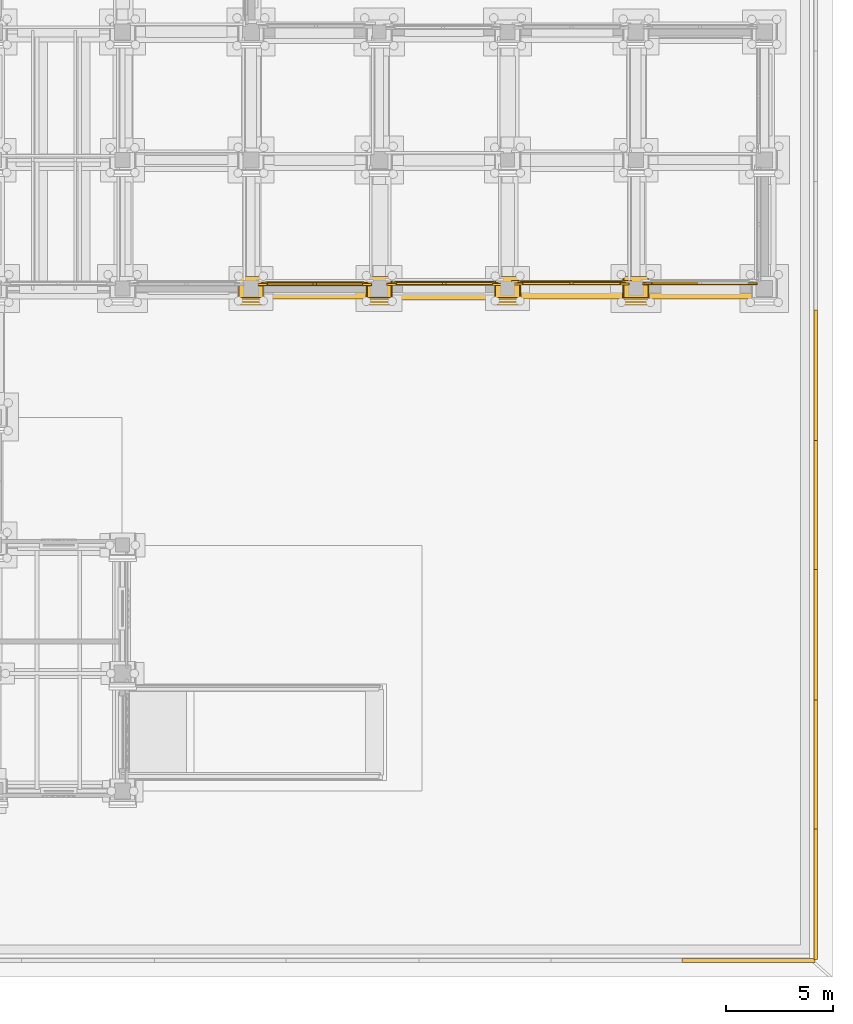
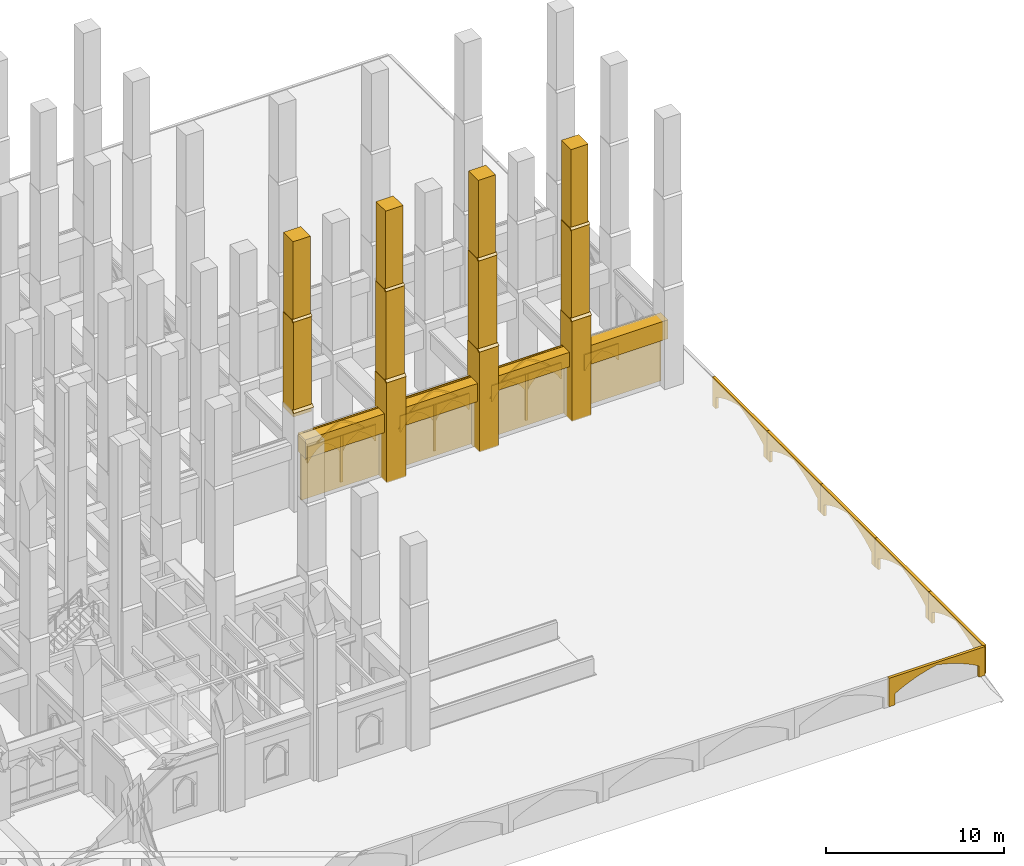
# One storey, part 126 of 135: 50 coverings.
"""IFC4 building model written with IfcOpenShell, lengths in metres."""

from ifc_helpers import new_model, si_unit, direction, frame, origin, origin_2d, place, context, subcontext, project, spatial, polyline, rectangle, outline, extrude, material, type_object, element, save


model = new_model("IFC4")

# Units and contexts
model_context = context("Model", 3, precision=1e-05, world=origin(), true_north=direction((0.0, 1.0)))
body_context = subcontext(model_context, "Body", "Model", "MODEL_VIEW")
ifc_project = project(units=[si_unit("LENGTHUNIT", "METRE"), si_unit("AREAUNIT", "SQUARE_METRE"), si_unit("VOLUMEUNIT", "CUBIC_METRE"), si_unit("PLANEANGLEUNIT", "RADIAN"), si_unit("MASSUNIT", "GRAM", prefix="KILO")], contexts=[model_context])

# Site, building, storey
site_placement = place(None, origin())
site = spatial("IfcSite", under=ifc_project, at=site_placement, CompositionType="ELEMENT")
building_placement = place(site_placement, origin())
building = spatial("IfcBuilding", under=site, at=building_placement, Name="Cumevento Cable Car Station", CompositionType="ELEMENT")
storey_placement = place(building_placement, origin())
storey = spatial("IfcBuildingStorey", under=building, at=storey_placement, Name="L01", CompositionType="ELEMENT", Elevation=0.0)

# Coverings
ifc_material = material(Name="Gnaisse Facoidal Stone Ashlar 85 MPa", Category="masonry")
covering_type = type_object("IfcCoveringType", Name="Gnaisse Ashlar Cladding CV-CL01", PredefinedType="CLADDING", material=ifc_material)
covering_1_placement = place(storey_placement, frame((141.360107421875, 32.239990234375, 6.8056640625), z_axis=(0.0, -0.711135781079, 0.703054692658), x_axis=(1.0, 0.0, 0.0)))
element("IfcCovering", 1, at=covering_1_placement, inside=storey, type_object=covering_type, Name="Gothic Buttress Sloped Stone Weathering 1 bt:142.0:33.0", PredefinedType="CLADDING", context=body_context, shape_type="SweptSolid", body=[
    extrude(outline(polyline([(0.0, 0.0), (1.27978515625, 0.0), (1.27978515625, 0.24169083397703695), (0.0, 0.24169083397703695), (0.0, 0.0)])), origin(), (0.0, 0.0, -1.0), 0.090087890625),
])
covering_2_placement = place(storey_placement, frame((142.0, 32.969970703125, 6.46337890625), z_axis=(0.0, 0.0, 1.0), x_axis=(1.0, 0.0, 0.0)))
element("IfcCovering", 2, at=covering_2_placement, inside=storey, type_object=covering_type, Name="Stepped Gothic Stone Buttress Tier 2 bt:142.0:33.0", PredefinedType="CLADDING", context=body_context, shape_type="SweptSolid", body=[
    extrude(rectangle(XDim=1.179931640625, YDim=1.179931640625, at=origin_2d()), origin(), (0.0, 0.0, 1.0), 6.523193359375),
])
covering_3_placement = place(storey_placement, frame((141.389892578125, 32.360107421875, 12.96630859375), z_axis=(0.0, -0.714474823669, 0.699661151089), x_axis=(1.0, 0.0, 0.0)))
element("IfcCovering", 3, at=covering_3_placement, inside=storey, type_object=covering_type, Name="Gothic Buttress Sloped Stone Weathering 2 bt:142.0:33.0", PredefinedType="CLADDING", context=body_context, shape_type="SweptSolid", body=[
    extrude(outline(polyline([(0.0, 0.0), (1.22021484375, 0.0), (1.22021484375, 0.21424991728737655), (0.0, 0.21424991728737655), (0.0, 0.0)])), origin(), (0.0, 0.0, -1.0), 0.090087890625),
])
covering_4_placement = place(storey_placement, frame((142.0, 33.02001953125, 12.6240234375), z_axis=(0.0, 0.0, 1.0), x_axis=(1.0, 0.0, 0.0)))
element("IfcCovering", 4, at=covering_4_placement, inside=storey, type_object=covering_type, Name="Stepped Gothic Stone Buttress Tier 3 bt:142.0:33.0", PredefinedType="CLADDING", context=body_context, shape_type="SweptSolid", body=[
    extrude(rectangle(XDim=1.1201171875, YDim=1.080078125, at=origin_2d()), origin(), (0.0, 0.0, 1.0), 5.77587890625),
])
covering_5_placement = place(storey_placement, frame((148.0, 32.909912109375, -0.06005859375), z_axis=(0.0, 0.0, 1.0), x_axis=(1.0, 0.0, 0.0)))
element("IfcCovering", 5, at=covering_5_placement, inside=storey, type_object=covering_type, Name="Stepped Gothic Stone Buttress Tier 1 bt:148.0:33.0", PredefinedType="CLADDING", context=body_context, shape_type="SweptSolid", body=[
    extrude(rectangle(XDim=1.239990234375, YDim=1.300048828125, at=origin_2d()), origin(), (0.0, 0.0, 1.0), 6.885498046875),
])
covering_6_placement = place(storey_placement, frame((147.360107421875, 32.239990234375, 6.8056640625), z_axis=(0.0, -0.711135781079, 0.703054692658), x_axis=(1.0, 0.0, 0.0)))
element("IfcCovering", 6, at=covering_6_placement, inside=storey, type_object=covering_type, Name="Gothic Buttress Sloped Stone Weathering 1 bt:148.0:33.0", PredefinedType="CLADDING", context=body_context, shape_type="SweptSolid", body=[
    extrude(outline(polyline([(0.0, 0.0), (1.27978515625, 0.0), (1.27978515625, 0.24169083397703695), (0.0, 0.24169083397703695), (0.0, 0.0)])), origin(), (0.0, 0.0, -1.0), 0.090087890625),
])
covering_7_placement = place(storey_placement, frame((148.0, 32.969970703125, 6.46337890625), z_axis=(0.0, 0.0, 1.0), x_axis=(1.0, 0.0, 0.0)))
element("IfcCovering", 7, at=covering_7_placement, inside=storey, type_object=covering_type, Name="Stepped Gothic Stone Buttress Tier 2 bt:148.0:33.0", PredefinedType="CLADDING", context=body_context, shape_type="SweptSolid", body=[
    extrude(rectangle(XDim=1.179931640625, YDim=1.179931640625, at=origin_2d()), origin(), (0.0, 0.0, 1.0), 6.523193359375),
])
covering_8_placement = place(storey_placement, frame((147.389892578125, 32.360107421875, 12.96630859375), z_axis=(0.0, -0.714474823669, 0.699661151089), x_axis=(1.0, 0.0, 0.0)))
element("IfcCovering", 8, at=covering_8_placement, inside=storey, type_object=covering_type, Name="Gothic Buttress Sloped Stone Weathering 2 bt:148.0:33.0", PredefinedType="CLADDING", context=body_context, shape_type="SweptSolid", body=[
    extrude(outline(polyline([(0.0, 0.0), (1.22021484375, 0.0), (1.22021484375, 0.21424991728737655), (0.0, 0.21424991728737655), (0.0, 0.0)])), origin(), (0.0, 0.0, -1.0), 0.090087890625),
])
covering_9_placement = place(storey_placement, frame((148.0, 33.02001953125, 12.6240234375), z_axis=(0.0, 0.0, 1.0), x_axis=(1.0, 0.0, 0.0)))
element("IfcCovering", 9, at=covering_9_placement, inside=storey, type_object=covering_type, Name="Stepped Gothic Stone Buttress Tier 3 bt:148.0:33.0", PredefinedType="CLADDING", context=body_context, shape_type="SweptSolid", body=[
    extrude(rectangle(XDim=1.1201171875, YDim=1.080078125, at=origin_2d()), origin(), (0.0, 0.0, 1.0), 5.77587890625),
])
covering_10_placement = place(storey_placement, frame((154.0, 32.909912109375, -0.06005859375), z_axis=(0.0, 0.0, 1.0), x_axis=(1.0, 0.0, 0.0)))
element("IfcCovering", 10, at=covering_10_placement, inside=storey, type_object=covering_type, Name="Stepped Gothic Stone Buttress Tier 1 bt:154.0:33.0", PredefinedType="CLADDING", context=body_context, shape_type="SweptSolid", body=[
    extrude(rectangle(XDim=1.239990234375, YDim=1.300048828125, at=origin_2d()), origin(), (0.0, 0.0, 1.0), 6.885498046875),
])
covering_11_placement = place(storey_placement, frame((153.360107421875, 32.239990234375, 6.8056640625), z_axis=(0.0, -0.711135781079, 0.703054692658), x_axis=(1.0, 0.0, 0.0)))
element("IfcCovering", 11, at=covering_11_placement, inside=storey, type_object=covering_type, Name="Gothic Buttress Sloped Stone Weathering 1 bt:154.0:33.0", PredefinedType="CLADDING", context=body_context, shape_type="SweptSolid", body=[
    extrude(outline(polyline([(0.0, 0.0), (1.27978515625, 0.0), (1.27978515625, 0.24169083397703695), (0.0, 0.24169083397703695), (0.0, 0.0)])), origin(), (0.0, 0.0, -1.0), 0.090087890625),
])
covering_12_placement = place(storey_placement, frame((154.0, 32.969970703125, 6.46337890625), z_axis=(0.0, 0.0, 1.0), x_axis=(1.0, 0.0, 0.0)))
element("IfcCovering", 12, at=covering_12_placement, inside=storey, type_object=covering_type, Name="Stepped Gothic Stone Buttress Tier 2 bt:154.0:33.0", PredefinedType="CLADDING", context=body_context, shape_type="SweptSolid", body=[
    extrude(rectangle(XDim=1.179931640625, YDim=1.179931640625, at=origin_2d()), origin(), (0.0, 0.0, 1.0), 6.523193359375),
])
covering_13_placement = place(storey_placement, frame((153.389892578125, 32.360107421875, 12.96630859375), z_axis=(0.0, -0.714474823669, 0.699661151089), x_axis=(1.0, 0.0, 0.0)))
element("IfcCovering", 13, at=covering_13_placement, inside=storey, type_object=covering_type, Name="Gothic Buttress Sloped Stone Weathering 2 bt:154.0:33.0", PredefinedType="CLADDING", context=body_context, shape_type="SweptSolid", body=[
    extrude(outline(polyline([(0.0, 0.0), (1.22021484375, 0.0), (1.22021484375, 0.21424991728737655), (0.0, 0.21424991728737655), (0.0, 0.0)])), origin(), (0.0, 0.0, -1.0), 0.090087890625),
])
covering_14_placement = place(storey_placement, frame((154.0, 33.02001953125, 12.6240234375), z_axis=(0.0, 0.0, 1.0), x_axis=(1.0, 0.0, 0.0)))
element("IfcCovering", 14, at=covering_14_placement, inside=storey, type_object=covering_type, Name="Stepped Gothic Stone Buttress Tier 3 bt:154.0:33.0", PredefinedType="CLADDING", context=body_context, shape_type="SweptSolid", body=[
    extrude(rectangle(XDim=1.1201171875, YDim=1.080078125, at=origin_2d()), origin(), (0.0, 0.0, 1.0), 5.77587890625),
])
covering_15_placement = place(storey_placement, frame((160.0, 32.909912109375, -0.06005859375), z_axis=(0.0, 0.0, 1.0), x_axis=(1.0, 0.0, 0.0)))
element("IfcCovering", 15, at=covering_15_placement, inside=storey, type_object=covering_type, Name="Stepped Gothic Stone Buttress Tier 1 bt:160.0:33.0", PredefinedType="CLADDING", context=body_context, shape_type="SweptSolid", body=[
    extrude(rectangle(XDim=1.239990234375, YDim=1.300048828125, at=origin_2d()), origin(), (0.0, 0.0, 1.0), 6.885498046875),
])
covering_16_placement = place(storey_placement, frame((159.360107421875, 32.239990234375, 6.8056640625), z_axis=(0.0, -0.711135781079, 0.703054692658), x_axis=(1.0, 0.0, 0.0)))
element("IfcCovering", 16, at=covering_16_placement, inside=storey, type_object=covering_type, Name="Gothic Buttress Sloped Stone Weathering 1 bt:160.0:33.0", PredefinedType="CLADDING", context=body_context, shape_type="SweptSolid", body=[
    extrude(outline(polyline([(0.0, 0.0), (1.27978515625, 0.0), (1.27978515625, 0.24169083397703695), (0.0, 0.24169083397703695), (0.0, 0.0)])), origin(), (0.0, 0.0, -1.0), 0.090087890625),
])
covering_17_placement = place(storey_placement, frame((160.0, 32.969970703125, 6.46337890625), z_axis=(0.0, 0.0, 1.0), x_axis=(1.0, 0.0, 0.0)))
element("IfcCovering", 17, at=covering_17_placement, inside=storey, type_object=covering_type, Name="Stepped Gothic Stone Buttress Tier 2 bt:160.0:33.0", PredefinedType="CLADDING", context=body_context, shape_type="SweptSolid", body=[
    extrude(rectangle(XDim=1.179931640625, YDim=1.179931640625, at=origin_2d()), origin(), (0.0, 0.0, 1.0), 6.523193359375),
])
covering_18_placement = place(storey_placement, frame((159.389892578125, 32.360107421875, 12.96630859375), z_axis=(0.0, -0.714474823669, 0.699661151089), x_axis=(1.0, 0.0, 0.0)))
element("IfcCovering", 18, at=covering_18_placement, inside=storey, type_object=covering_type, Name="Gothic Buttress Sloped Stone Weathering 2 bt:160.0:33.0", PredefinedType="CLADDING", context=body_context, shape_type="SweptSolid", body=[
    extrude(outline(polyline([(0.0, 0.0), (1.22021484375, 0.0), (1.22021484375, 0.21424991728737655), (0.0, 0.21424991728737655), (0.0, 0.0)])), origin(), (0.0, 0.0, -1.0), 0.090087890625),
])
covering_19_placement = place(storey_placement, frame((160.0, 33.02001953125, 12.6240234375), z_axis=(0.0, 0.0, 1.0), x_axis=(1.0, 0.0, 0.0)))
element("IfcCovering", 19, at=covering_19_placement, inside=storey, type_object=covering_type, Name="Stepped Gothic Stone Buttress Tier 3 bt:160.0:33.0", PredefinedType="CLADDING", context=body_context, shape_type="SweptSolid", body=[
    extrude(rectangle(XDim=1.1201171875, YDim=1.080078125, at=origin_2d()), origin(), (0.0, 0.0, 1.0), 5.77587890625),
])
covering_20_placement = place(storey_placement, frame((144.987548828125, 32.919921875, 3.239990234375), z_axis=(0.0, 0.0, 1.0), x_axis=(1.0, 0.0, 0.0)))
element("IfcCovering", 20, at=covering_20_placement, inside=storey, type_object=covering_type, Name="Gothic Stone Spandrel Stringcourse sc:0206", PredefinedType="CLADDING", context=body_context, shape_type="SweptSolid", body=[
    extrude(rectangle(XDim=5.465087890625, YDim=0.820068359375, at=origin_2d()), origin(), (0.0, 0.0, 1.0), 1.2900390625),
])
covering_21_placement = place(storey_placement, frame((151.03759765625, 32.919921875, 3.2900390625), z_axis=(0.0, 0.0, 1.0), x_axis=(1.0, 0.0, 0.0)))
element("IfcCovering", 21, at=covering_21_placement, inside=storey, type_object=covering_type, Name="Gothic Stone Spandrel Stringcourse sc:0207", PredefinedType="CLADDING", context=body_context, shape_type="SweptSolid", body=[
    extrude(rectangle(XDim=5.514892578125, YDim=0.919921875, at=origin_2d()), origin(), (0.0, 0.0, 1.0), 1.239990234375),
])
covering_22_placement = place(storey_placement, frame((156.987548828125, 32.89990234375, 3.5400390625), z_axis=(0.0, 0.0, 1.0), x_axis=(1.0, 0.0, 0.0)))
element("IfcCovering", 22, at=covering_22_placement, inside=storey, type_object=covering_type, Name="Gothic Stone Spandrel Stringcourse sc:0208", PredefinedType="CLADDING", context=body_context, shape_type="SweptSolid", body=[
    extrude(rectangle(XDim=5.56494140625, YDim=0.760009765625, at=origin_2d()), origin(), (0.0, 0.0, 1.0), 0.989990234375),
])
covering_23_placement = place(storey_placement, frame((156.987548828125, 33.3076171875, 4.400146484375), z_axis=(0.0, 0.0, 1.0), x_axis=(1.0, 0.0, 0.0)))
element("IfcCovering", 23, at=covering_23_placement, inside=storey, type_object=covering_type, Name="Gothic Cornice Dripstone Lip sc:0208", PredefinedType="CLADDING", context=body_context, shape_type="SweptSolid", body=[
    extrude(rectangle(XDim=5.60498046875, YDim=0.114990234375, at=origin_2d()), origin(), (0.0, 0.0, 1.0), 0.1298828125),
])
covering_24_placement = place(storey_placement, frame((162.987548828125, 32.919921875, 3.239990234375), z_axis=(0.0, 0.0, 1.0), x_axis=(1.0, 0.0, 0.0)))
element("IfcCovering", 24, at=covering_24_placement, inside=storey, type_object=covering_type, Name="Gothic Stone Spandrel Stringcourse sc:0209", PredefinedType="CLADDING", context=body_context, shape_type="SweptSolid", body=[
    extrude(rectangle(XDim=5.514892578125, YDim=0.820068359375, at=origin_2d()), origin(), (0.0, 0.0, 1.0), 1.2900390625),
])
covering_25_placement = place(storey_placement, frame((142.375, 33.0, 0.0), z_axis=(0.0, 0.0, 1.0), x_axis=(1.0, 0.0, 0.0)))
element("IfcCovering", 25, at=covering_25_placement, inside=storey, type_object=covering_type, Name="Exterior Gnaisse Stone Wall Ashlar #79", PredefinedType="CLADDING", context=body_context, shape_type="SweptSolid", body=[
    extrude(outline(polyline([(-0.0400390625, -0.02001953125), (5.264892578125, -0.02001953125), (5.264892578125, 4.52001953125), (-0.0400390625, 4.52001953125), (-0.0400390625, -0.02001953125)])), frame((0.0, 0.22509765625, 0.0), z_axis=(0.0, -1.0, 0.0), x_axis=(1.0, 0.0, 0.0)), (0.0, 0.0, 1.0), 0.0849609375),
])
placement_1 = place(storey_placement, frame((142.554931640625, 33.0, 0.300048828125), z_axis=(0.0, 0.0, 1.0), x_axis=(1.0, 0.0, 0.0)))
element("IfcCovering", 26, at=placement_1, inside=storey, type_object=covering_type, Name="Gothic Ogival Pointed-Arch Stone Spandrel blind_ogival:0079", PredefinedType="CLADDING", context=body_context, shape_type="SweptSolid", body=[
    extrude(outline(polyline([(-0.050048828125, 0.0), (-0.050048828125, 4.239990234375), (4.9150390625, 4.239990234375), (4.9150390625, 0.0), (4.60498046875, 0.0), (4.60498046875, 2.219970703125), (4.37158203125, 2.556884765625), (4.1083984375, 2.87109375), (3.81787109375, 3.159912109375), (3.50244140625, 3.42138671875), (3.16455078125, 3.653076171875), (2.806884765625, 3.853271484375), (2.4326171875, 4.02001953125), (2.05810546875, 3.853271484375), (1.700439453125, 3.653076171875), (1.362548828125, 3.42138671875), (1.047119140625, 3.159912109375), (0.756591796875, 2.87109375), (0.493408203125, 2.556884765625), (0.260009765625, 2.219970703125), (0.260009765625, 0.0), (-0.050048828125, 0.0)])), frame((0.0, 0.280029296875, 0.0), z_axis=(0.0, -1.0, 0.0), x_axis=(1.0, 0.0, 0.0)), (0.0, 0.0, 1.0), 0.110107421875),
])
covering_27_placement = place(storey_placement, frame((142.554931640625, 33.0, 2.52001953125), z_axis=(0.0, 0.0, 1.0), x_axis=(1.0, 0.0, 0.0)))
element("IfcCovering", 27, at=covering_27_placement, inside=storey, type_object=covering_type, Name="Gothic Pointed Archivolt Hood Moulding blind_ogival:0079", PredefinedType="CLADDING", context=body_context, shape_type="SweptSolid", body=[
    extrude(outline(polyline([(0.260009765625, 0.0), (0.493408203125, 0.3369140625), (0.756591796875, 0.651123046875), (1.047119140625, 0.93994140625), (1.362548828125, 1.201416015625), (1.700439453125, 1.43310546875), (2.05810546875, 1.63330078125), (2.4326171875, 1.800048828125), (2.806884765625, 1.63330078125), (3.16455078125, 1.43310546875), (3.50244140625, 1.201416015625), (3.81787109375, 0.93994140625), (4.1083984375, 0.651123046875), (4.37158203125, 0.3369140625), (4.60498046875, 0.0), (4.72607421875, 0.0), (4.483154296875, 0.3642578125), (4.207763671875, 0.704345703125), (3.902099609375, 1.017578125), (3.56884765625, 1.301025390625), (3.210693359375, 1.552734375), (2.830810546875, 1.77001953125), (2.4326171875, 1.951171875), (2.0341796875, 1.77001953125), (1.654296875, 1.552734375), (1.296142578125, 1.301025390625), (0.962890625, 1.017578125), (0.6572265625, 0.704345703125), (0.3818359375, 0.3642578125), (0.138916015625, 0.0), (0.260009765625, 0.0)])), frame((0.0, 0.322021484375, 0.0), z_axis=(0.0, -1.0, 0.0), x_axis=(1.0, 0.0, 0.0)), (0.0, 0.0, 1.0), 0.06689453125),
])
element("IfcCovering", 28, at=placement_1, inside=storey, type_object=covering_type, Name="Gothic Bifora Stone Colonnette blind_ogival:0079 #1", PredefinedType="CLADDING", context=body_context, shape_type="SweptSolid", body=[
    extrude(outline(polyline([(2.357421875, -0.02001953125), (2.507568359375, -0.02001953125), (2.507568359375, 3.156005859375), (2.357421875, 3.156005859375), (2.357421875, -0.02001953125)])), frame((0.0, 0.26806640625, 0.0), z_axis=(0.0, -1.0, 0.0), x_axis=(1.0, 0.0, 0.0)), (0.0, 0.0, 1.0), 0.094970703125),
])
for number, where, z_axis, x_axis, name in (
    (29, (142.784912109375, 33.0, 2.340087890625), (0.0, 0.0, 1.0), (1.0, 0.0, 0.0), "Gothic Ogival Pointed-Arch Stone Spandrel blind_ogival:0079:sub:0"),
    (30, (145.032470703125, 33.0, 2.340087890625), (0.0, 0.0, 1.0), (1.0, 0.0, 0.0), "Gothic Ogival Pointed-Arch Stone Spandrel blind_ogival:0079:sub:1"),
):
    element("IfcCovering", number, at=place(storey_placement, frame(where, z_axis=z_axis, x_axis=x_axis)), inside=storey, type_object=covering_type, Name=name, PredefinedType="CLADDING", context=body_context, shape_type="SweptSolid", body=[
        extrude(outline(polyline([(-0.02001953125, 0.0), (-0.02001953125, 1.115966796875), (2.177490234375, 1.115966796875), (2.177490234375, 0.0), (2.117431640625, 0.0), (1.997314453125, 0.213134765625), (1.85302734375, 0.410888671875), (1.6865234375, 0.59033203125), (1.500244140625, 0.7490234375), (1.296875, 0.884765625), (1.078857421875, 0.99609375), (0.860595703125, 0.884765625), (0.6572265625, 0.7490234375), (0.470947265625, 0.59033203125), (0.304443359375, 0.410888671875), (0.16015625, 0.213134765625), (0.0400390625, 0.0), (-0.02001953125, 0.0)])), frame((0.0, 0.263916015625, 0.0), z_axis=(0.0, -1.0, 0.0), x_axis=(1.0, 0.0, 0.0)), (0.0, 0.0, 1.0), 0.090087890625),
    ])
covering_29_placement = place(storey_placement, frame((148.39990234375, 33.0, 0.0), z_axis=(0.0, 0.0, 1.0), x_axis=(1.0, 0.0, 0.0)))
element("IfcCovering", 31, at=covering_29_placement, inside=storey, type_object=covering_type, Name="Exterior Gnaisse Stone Wall Ashlar #80", PredefinedType="CLADDING", context=body_context, shape_type="SweptSolid", body=[
    extrude(outline(polyline([(-0.0400390625, -0.02001953125), (5.31494140625, -0.02001953125), (5.31494140625, 4.52001953125), (-0.0400390625, 4.52001953125), (-0.0400390625, -0.02001953125)])), frame((0.0, 0.237548828125, 0.0), z_axis=(0.0, -1.0, 0.0), x_axis=(1.0, 0.0, 0.0)), (0.0, 0.0, 1.0), 0.0849609375),
])
placement_2 = place(storey_placement, frame((148.580078125, 33.0, 0.300048828125), z_axis=(0.0, 0.0, 1.0), x_axis=(1.0, 0.0, 0.0)))
element("IfcCovering", 32, at=placement_2, inside=storey, type_object=covering_type, Name="Gothic Ogival Pointed-Arch Stone Spandrel blind_ogival:0080", PredefinedType="CLADDING", context=body_context, shape_type="SweptSolid", body=[
    extrude(outline(polyline([(-0.050048828125, 0.0), (-0.050048828125, 4.239990234375), (4.965087890625, 4.239990234375), (4.965087890625, 0.0), (4.655029296875, 0.0), (4.655029296875, 2.219970703125), (4.41748046875, 2.55712890625), (4.150390625, 2.87158203125), (3.856201171875, 3.16064453125), (3.537109375, 3.421875), (3.19580078125, 3.653564453125), (2.8349609375, 3.853515625), (2.45751953125, 4.02001953125), (2.080078125, 3.853515625), (1.71923828125, 3.653564453125), (1.3779296875, 3.421875), (1.058837890625, 3.16064453125), (0.7646484375, 2.87158203125), (0.49755859375, 2.55712890625), (0.260009765625, 2.219970703125), (0.260009765625, 0.0), (-0.050048828125, 0.0)])), frame((0.0, 0.29248046875, 0.0), z_axis=(0.0, -1.0, 0.0), x_axis=(1.0, 0.0, 0.0)), (0.0, 0.0, 1.0), 0.110107421875),
])
covering_31_placement = place(storey_placement, frame((148.580078125, 33.0, 2.52001953125), z_axis=(0.0, 0.0, 1.0), x_axis=(1.0, 0.0, 0.0)))
element("IfcCovering", 33, at=covering_31_placement, inside=storey, type_object=covering_type, Name="Gothic Pointed Archivolt Hood Moulding blind_ogival:0080", PredefinedType="CLADDING", context=body_context, shape_type="SweptSolid", body=[
    extrude(outline(polyline([(0.260009765625, 0.0), (0.49755859375, 0.337158203125), (0.7646484375, 0.651611328125), (1.058837890625, 0.940673828125), (1.3779296875, 1.201904296875), (1.71923828125, 1.43359375), (2.080078125, 1.633544921875), (2.45751953125, 1.800048828125), (2.8349609375, 1.633544921875), (3.19580078125, 1.43359375), (3.537109375, 1.201904296875), (3.856201171875, 0.940673828125), (4.150390625, 0.651611328125), (4.41748046875, 0.337158203125), (4.655029296875, 0.0), (4.77587890625, 0.0), (4.529052734375, 0.364501953125), (4.249755859375, 0.704833984375), (3.9404296875, 1.01806640625), (3.603515625, 1.3017578125), (3.241943359375, 1.552978515625), (2.85888671875, 1.770263671875), (2.45751953125, 1.951171875), (2.05615234375, 1.770263671875), (1.673095703125, 1.552978515625), (1.3115234375, 1.3017578125), (0.974609375, 1.01806640625), (0.665283203125, 0.704833984375), (0.385986328125, 0.364501953125), (0.138916015625, 0.0), (0.260009765625, 0.0)])), frame((0.0, 0.33447265625, 0.0), z_axis=(0.0, -1.0, 0.0), x_axis=(1.0, 0.0, 0.0)), (0.0, 0.0, 1.0), 0.06689453125),
])
element("IfcCovering", 34, at=placement_2, inside=storey, type_object=covering_type, Name="Gothic Bifora Stone Colonnette blind_ogival:0080 #1", PredefinedType="CLADDING", context=body_context, shape_type="SweptSolid", body=[
    extrude(outline(polyline([(2.382568359375, -0.02001953125), (2.532470703125, -0.02001953125), (2.532470703125, 3.156005859375), (2.382568359375, 3.156005859375), (2.382568359375, -0.02001953125)])), frame((0.0, 0.280517578125, 0.0), z_axis=(0.0, -1.0, 0.0), x_axis=(1.0, 0.0, 0.0)), (0.0, 0.0, 1.0), 0.094970703125),
])
for number, where, z_axis, x_axis, name in (
    (35, (148.81005859375, 33.0, 2.340087890625), (0.0, 0.0, 1.0), (1.0, 0.0, 0.0), "Gothic Ogival Pointed-Arch Stone Spandrel blind_ogival:0080:sub:0"),
    (36, (151.08251953125, 33.0, 2.340087890625), (0.0, 0.0, 1.0), (1.0, 0.0, 0.0), "Gothic Ogival Pointed-Arch Stone Spandrel blind_ogival:0080:sub:1"),
):
    element("IfcCovering", number, at=place(storey_placement, frame(where, z_axis=z_axis, x_axis=x_axis)), inside=storey, type_object=covering_type, Name=name, PredefinedType="CLADDING", context=body_context, shape_type="SweptSolid", body=[
        extrude(outline(polyline([(-0.02001953125, 0.0), (-0.02001953125, 1.115966796875), (2.202392578125, 1.115966796875), (2.202392578125, 0.0), (2.142578125, 0.0), (2.02001953125, 0.21337890625), (1.873291015625, 0.4111328125), (1.704833984375, 0.590576171875), (1.5166015625, 0.749267578125), (1.31103515625, 0.885009765625), (1.09130859375, 0.99609375), (0.87158203125, 0.885009765625), (0.666015625, 0.749267578125), (0.477783203125, 0.590576171875), (0.309326171875, 0.4111328125), (0.16259765625, 0.21337890625), (0.0400390625, 0.0), (-0.02001953125, 0.0)])), frame((0.0, 0.276611328125, 0.0), z_axis=(0.0, -1.0, 0.0), x_axis=(1.0, 0.0, 0.0)), (0.0, 0.0, 1.0), 0.090087890625),
    ])
covering_33_placement = place(storey_placement, frame((154.324951171875, 33.0, 0.0), z_axis=(0.0, 0.0, 1.0), x_axis=(1.0, 0.0, 0.0)))
element("IfcCovering", 37, at=covering_33_placement, inside=storey, type_object=covering_type, Name="Exterior Gnaisse Stone Wall Ashlar #81", PredefinedType="CLADDING", context=body_context, shape_type="SweptSolid", body=[
    extrude(outline(polyline([(-0.0400390625, -0.02001953125), (5.364990234375, -0.02001953125), (5.364990234375, 4.52001953125), (-0.0400390625, 4.52001953125), (-0.0400390625, -0.02001953125)])), frame((0.0, 0.25, 0.0), z_axis=(0.0, -1.0, 0.0), x_axis=(1.0, 0.0, 0.0)), (0.0, 0.0, 1.0), 0.0849609375),
])
placement_3 = place(storey_placement, frame((154.5048828125, 33.0, 0.300048828125), z_axis=(0.0, 0.0, 1.0), x_axis=(1.0, 0.0, 0.0)))
element("IfcCovering", 38, at=placement_3, inside=storey, type_object=covering_type, Name="Gothic Ogival Pointed-Arch Stone Spandrel blind_ogival:0081", PredefinedType="CLADDING", context=body_context, shape_type="SweptSolid", body=[
    extrude(outline(polyline([(-0.050048828125, 0.0), (-0.050048828125, 4.239990234375), (5.014892578125, 4.239990234375), (5.014892578125, 0.0), (4.705078125, 0.0), (4.705078125, 2.219970703125), (4.46337890625, 2.557373046875), (4.1923828125, 2.8720703125), (3.894287109375, 3.1611328125), (3.57177734375, 3.42236328125), (3.22705078125, 3.65380859375), (2.863037109375, 3.853515625), (2.482421875, 4.02001953125), (2.10205078125, 3.853515625), (1.738037109375, 3.65380859375), (1.393310546875, 3.42236328125), (1.07080078125, 3.1611328125), (0.772705078125, 2.8720703125), (0.501708984375, 2.557373046875), (0.260009765625, 2.219970703125), (0.260009765625, 0.0), (-0.050048828125, 0.0)])), frame((0.0, 0.304931640625, 0.0), z_axis=(0.0, -1.0, 0.0), x_axis=(1.0, 0.0, 0.0)), (0.0, 0.0, 1.0), 0.110107421875),
])
covering_35_placement = place(storey_placement, frame((154.5048828125, 33.0, 2.52001953125), z_axis=(0.0, 0.0, 1.0), x_axis=(1.0, 0.0, 0.0)))
element("IfcCovering", 39, at=covering_35_placement, inside=storey, type_object=covering_type, Name="Gothic Pointed Archivolt Hood Moulding blind_ogival:0081", PredefinedType="CLADDING", context=body_context, shape_type="SweptSolid", body=[
    extrude(outline(polyline([(0.260009765625, 0.0), (0.501708984375, 0.33740234375), (0.772705078125, 0.652099609375), (1.07080078125, 0.941162109375), (1.393310546875, 1.202392578125), (1.738037109375, 1.433837890625), (2.10205078125, 1.633544921875), (2.482421875, 1.800048828125), (2.863037109375, 1.633544921875), (3.22705078125, 1.433837890625), (3.57177734375, 1.202392578125), (3.894287109375, 0.941162109375), (4.1923828125, 0.652099609375), (4.46337890625, 0.33740234375), (4.705078125, 0.0), (4.825927734375, 0.0), (4.574951171875, 0.364990234375), (4.291748046875, 0.70556640625), (3.978515625, 1.018798828125), (3.637939453125, 1.30224609375), (3.273193359375, 1.553466796875), (2.886962890625, 1.7705078125), (2.482421875, 1.951171875), (2.078125, 1.7705078125), (1.69189453125, 1.553466796875), (1.3271484375, 1.30224609375), (0.986572265625, 1.018798828125), (0.67333984375, 0.70556640625), (0.39013671875, 0.364990234375), (0.138916015625, 0.0), (0.260009765625, 0.0)])), frame((0.0, 0.346923828125, 0.0), z_axis=(0.0, -1.0, 0.0), x_axis=(1.0, 0.0, 0.0)), (0.0, 0.0, 1.0), 0.06689453125),
])
element("IfcCovering", 40, at=placement_3, inside=storey, type_object=covering_type, Name="Gothic Bifora Stone Colonnette blind_ogival:0081 #1", PredefinedType="CLADDING", context=body_context, shape_type="SweptSolid", body=[
    extrude(outline(polyline([(2.407470703125, -0.02001953125), (2.5576171875, -0.02001953125), (2.5576171875, 3.156005859375), (2.407470703125, 3.156005859375), (2.407470703125, -0.02001953125)])), frame((0.0, 0.29296875, 0.0), z_axis=(0.0, -1.0, 0.0), x_axis=(1.0, 0.0, 0.0)), (0.0, 0.0, 1.0), 0.094970703125),
])
for number, where, z_axis, x_axis, name in (
    (41, (154.735107421875, 33.0, 2.340087890625), (0.0, 0.0, 1.0), (1.0, 0.0, 0.0), "Gothic Ogival Pointed-Arch Stone Spandrel blind_ogival:0081:sub:0"),
    (42, (157.032470703125, 33.0, 2.340087890625), (0.0, 0.0, 1.0), (1.0, 0.0, 0.0), "Gothic Ogival Pointed-Arch Stone Spandrel blind_ogival:0081:sub:1"),
):
    element("IfcCovering", number, at=place(storey_placement, frame(where, z_axis=z_axis, x_axis=x_axis)), inside=storey, type_object=covering_type, Name=name, PredefinedType="CLADDING", context=body_context, shape_type="SweptSolid", body=[
        extrude(outline(polyline([(-0.02001953125, 0.0), (-0.02001953125, 1.115966796875), (2.2275390625, 1.115966796875), (2.2275390625, 0.0), (2.16748046875, 0.0), (2.04248046875, 0.213623046875), (1.893310546875, 0.41162109375), (1.72265625, 0.591064453125), (1.532470703125, 0.74951171875), (1.3251953125, 0.88525390625), (1.103759765625, 0.99609375), (0.88232421875, 0.88525390625), (0.675048828125, 0.74951171875), (0.48486328125, 0.591064453125), (0.314208984375, 0.41162109375), (0.1650390625, 0.213623046875), (0.0400390625, 0.0), (-0.02001953125, 0.0)])), frame((0.0, 0.2890625, 0.0), z_axis=(0.0, -1.0, 0.0), x_axis=(1.0, 0.0, 0.0)), (0.0, 0.0, 1.0), 0.090087890625),
    ])
covering_37_placement = place(storey_placement, frame((160.35009765625, 33.0, 0.0), z_axis=(0.0, 0.0, 1.0), x_axis=(1.0, 0.0, 0.0)))
element("IfcCovering", 43, at=covering_37_placement, inside=storey, type_object=covering_type, Name="Exterior Gnaisse Stone Wall Ashlar #82", PredefinedType="CLADDING", context=body_context, shape_type="SweptSolid", body=[
    extrude(outline(polyline([(-0.0400390625, -0.02001953125), (5.31494140625, -0.02001953125), (5.31494140625, 4.52001953125), (-0.0400390625, 4.52001953125), (-0.0400390625, -0.02001953125)])), frame((0.0, 0.262451171875, 0.0), z_axis=(0.0, -1.0, 0.0), x_axis=(1.0, 0.0, 0.0)), (0.0, 0.0, 1.0), 0.0849609375),
])
covering_38_placement = place(storey_placement, frame((160.760009765625, 33.0, 2.340087890625), z_axis=(0.0, 0.0, 1.0), x_axis=(1.0, 0.0, 0.0)))
element("IfcCovering", 44, at=covering_38_placement, inside=storey, type_object=covering_type, Name="Gothic Ogival Pointed-Arch Stone Spandrel blind_ogival:0082:sub:0", PredefinedType="CLADDING", context=body_context, shape_type="SweptSolid", body=[
    extrude(outline(polyline([(-0.02001953125, 0.0), (-0.02001953125, 1.115966796875), (2.202392578125, 1.115966796875), (2.202392578125, 0.0), (2.142578125, 0.0), (2.02001953125, 0.21337890625), (1.873291015625, 0.4111328125), (1.704833984375, 0.590576171875), (1.5166015625, 0.749267578125), (1.31103515625, 0.885009765625), (1.09130859375, 0.99609375), (0.87158203125, 0.885009765625), (0.666015625, 0.749267578125), (0.477783203125, 0.590576171875), (0.309326171875, 0.4111328125), (0.16259765625, 0.21337890625), (0.0400390625, 0.0), (-0.02001953125, 0.0)])), frame((0.0, 0.301513671875, 0.0), z_axis=(0.0, -1.0, 0.0), x_axis=(1.0, 0.0, 0.0)), (0.0, 0.0, 1.0), 0.090087890625),
])
covering_39_placement = place(storey_placement, frame((168.35009765625, 1.64990234375, -1.919921875), z_axis=(0.0, 0.0, 1.0), x_axis=(-1.0, 0.0, 0.0)))
element("IfcCovering", 45, at=covering_39_placement, inside=storey, type_object=covering_type, Name="Gothic Ogival Pointed-Arch Stone Spandrel cumevento_plinth:plinth_arch:S:26", PredefinedType="CLADDING", context=body_context, shape_type="SweptSolid", body=[
    extrude(outline(polyline([(-0.02001953125, 0.0), (-0.02001953125, 1.9599609375), (6.194091796875, 1.9599609375), (6.194091796875, 0.0), (5.81396484375, 0.0), (5.81396484375, 0.77001953125), (5.3857421875, 1.00390625), (4.945068359375, 1.213623046875), (4.493408203125, 1.3984375), (4.0322265625, 1.558349609375), (3.56298828125, 1.692138671875), (3.087158203125, 1.800048828125), (2.611083984375, 1.692138671875), (2.141845703125, 1.558349609375), (1.6806640625, 1.3984375), (1.22900390625, 1.213623046875), (0.788330078125, 1.00390625), (0.360107421875, 0.77001953125), (0.360107421875, 0.0), (-0.02001953125, 0.0)])), frame((0.0, 0.14990234375, 0.0), z_axis=(0.0, -1.0, 0.0), x_axis=(1.0, 0.0, 0.0)), (0.0, 0.0, 1.0), 0.179931640625),
])
for number, where, z_axis, x_axis, name in (
    (46, (168.35009765625, 7.713623046875, -1.919921875), (0.0, 0.0, 1.0), (0.0, -1.0, 0.0), "Gothic Ogival Pointed-Arch Stone Spandrel cumevento_plinth:plinth_arch:E:0"),
    (47, (168.35009765625, 13.77734375, -1.919921875), (0.0, 0.0, 1.0), (0.0, -1.0, 0.0), "Gothic Ogival Pointed-Arch Stone Spandrel cumevento_plinth:plinth_arch:E:1"),
    (48, (168.35009765625, 19.8408203125, -1.919921875), (0.0, 0.0, 1.0), (0.0, -1.0, 0.0), "Gothic Ogival Pointed-Arch Stone Spandrel cumevento_plinth:plinth_arch:E:2"),
    (49, (168.35009765625, 25.904541015625, -1.919921875), (0.0, 0.0, 1.0), (0.0, -1.0, 0.0), "Gothic Ogival Pointed-Arch Stone Spandrel cumevento_plinth:plinth_arch:E:3"),
    (50, (168.35009765625, 31.96826171875, -1.919921875), (0.0, 0.0, 1.0), (0.0, -1.0, 0.0), "Gothic Ogival Pointed-Arch Stone Spandrel cumevento_plinth:plinth_arch:E:4"),
):
    element("IfcCovering", number, at=place(storey_placement, frame(where, z_axis=z_axis, x_axis=x_axis)), inside=storey, type_object=covering_type, Name=name, PredefinedType="CLADDING", context=body_context, shape_type="SweptSolid", body=[
        extrude(outline(polyline([(-0.02001953125, 0.0), (-0.02001953125, 1.9599609375), (6.083740234375, 1.9599609375), (6.083740234375, 0.0), (5.70361328125, 0.0), (5.70361328125, 0.77001953125), (5.284912109375, 1.003662109375), (4.853759765625, 1.21337890625), (4.41162109375, 1.3984375), (3.95947265625, 1.55810546875), (3.4990234375, 1.692138671875), (3.03173828125, 1.800048828125), (2.564697265625, 1.692138671875), (2.104248046875, 1.55810546875), (1.652099609375, 1.3984375), (1.2099609375, 1.21337890625), (0.77880859375, 1.003662109375), (0.360107421875, 0.77001953125), (0.360107421875, 0.0), (-0.02001953125, 0.0)])), frame((0.0, 0.14990234375, 0.0), z_axis=(0.0, -1.0, 0.0), x_axis=(1.0, 0.0, 0.0)), (0.0, 0.0, 1.0), 0.179931640625),
    ])

save(model, "model.ifc")
